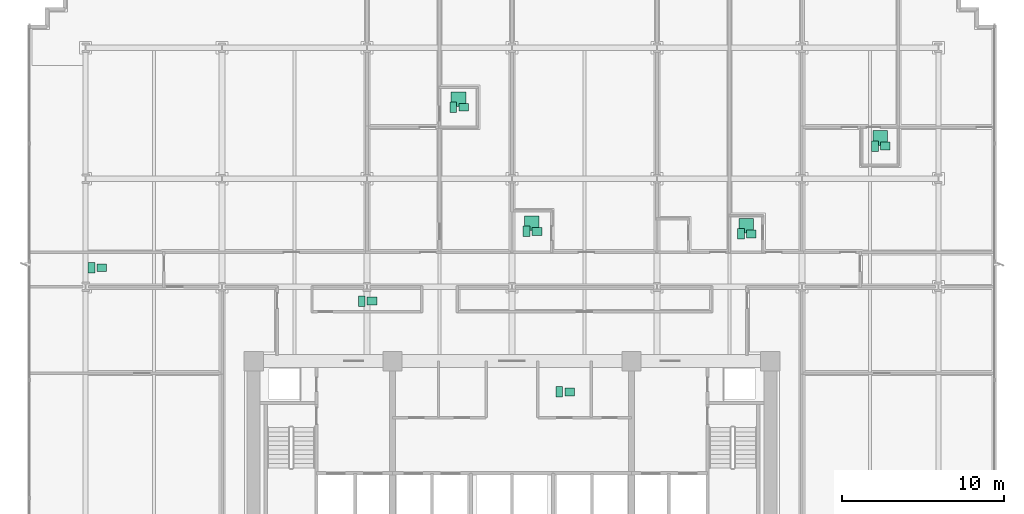
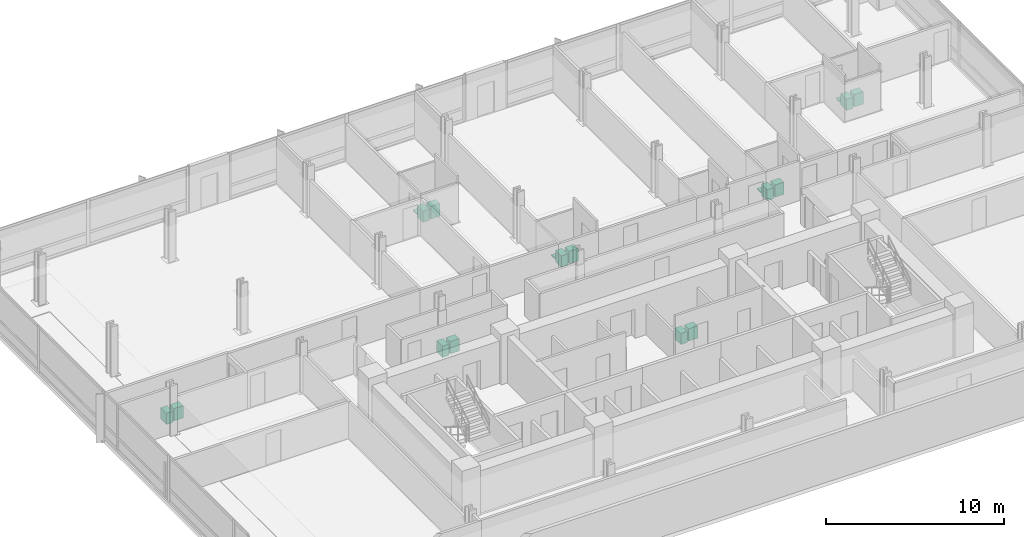
# One storey, part 17 of 17: 18 sanitary terminals.
"""IFC4 building model written with IfcOpenShell, lengths in metres."""

from ifc_helpers import new_model, si_unit, direction, frame, origin, origin_2d, place, context, subcontext, project, spatial, rectangle, extrude, material, type_object, element, save


model = new_model("IFC4")

# Units and contexts
model_context = context("Model", 3, precision=1e-05, world=origin(), true_north=direction((0.0, 1.0)))
body_context = subcontext(model_context, "Body", "Model", "MODEL_VIEW")
ifc_project = project(units=[si_unit("LENGTHUNIT", "METRE"), si_unit("AREAUNIT", "SQUARE_METRE"), si_unit("VOLUMEUNIT", "CUBIC_METRE"), si_unit("PLANEANGLEUNIT", "RADIAN"), si_unit("MASSUNIT", "GRAM", prefix="KILO")], contexts=[model_context])

# Site, building, storey
site_placement = place(None, origin())
site = spatial("IfcSite", under=ifc_project, at=site_placement, CompositionType="ELEMENT")
building_placement = place(site_placement, origin())
building = spatial("IfcBuilding", under=site, at=building_placement, Name="Solmavex Isthmus Hotel", CompositionType="ELEMENT")
storey_placement = place(building_placement, frame((0.0, 0.0, 40.199951171875)))
storey = spatial("IfcBuildingStorey", under=building, at=storey_placement, Name="L10", CompositionType="ELEMENT", Elevation=40.199951171875)

# Sanitary terminals
ifc_material = material(Name="Vitreous china ceramic", Category="ceramic")
sanitary_terminal_type_1 = type_object("IfcSanitaryTerminalType", Name="SAN-BASIN", PredefinedType="WASHHANDBASIN", material=ifc_material)
for number, where, z_axis, x_axis, name in (
    (1, (3.570068359375, -4.409912109375, 0.0), (0.0, 0.0, 1.0), (1.0, 0.0, 0.0), "Vanity Washbasin L10-42"),
    (2, (-2.992919921875, 13.212890625, 0.0), (0.0, 0.0, 1.0), (1.0, 0.0, 0.0), "Vanity Washbasin L10-43"),
    (3, (1.544921875, 5.52490234375, 0.0), (0.0, 0.0, 1.0), (1.0, 0.0, 0.0), "Vanity Washbasin L10-44"),
    (4, (14.816162109375, 5.375, 0.0), (0.0, 0.0, 1.0), (1.0, 0.0, 0.0), "Vanity Washbasin L10-45"),
    (5, (23.111083984375, 10.81298828125, 0.0), (0.0, 0.0, 1.0), (1.0, 0.0, 0.0), "Vanity Washbasin L10-46"),
    (6, (-8.666015625, 1.21240234375, 0.0), (0.0, 0.0, 1.0), (1.0, 0.0, 0.0), "Vanity Washbasin L10-47"),
    (7, (-25.39599609375, 3.277587890625, 0.0), (0.0, 0.0, 1.0), (1.0, 0.0, 0.0), "Vanity Washbasin L10-48"),
):
    element("IfcSanitaryTerminal", number, at=place(storey_placement, frame(where, z_axis=z_axis, x_axis=x_axis)), inside=storey, type_object=sanitary_terminal_type_1, Name=name, PredefinedType="WASHHANDBASIN", context=body_context, shape_type="SweptSolid", body=[
        extrude(rectangle(XDim=0.60009765625, YDim=0.47998046875, at=origin_2d()), origin(), (0.0, 0.0, 1.0), 0.85009765625),
    ])
sanitary_terminal_type_2 = type_object("IfcSanitaryTerminalType", Name="SAN-SHOWER", PredefinedType="SHOWER", material=ifc_material)
for number, where, z_axis, x_axis, name in (
    (8, (-3.31298828125, 13.712890625, 0.0), (0.0, 0.0, 1.0), (1.0, 0.0, 0.0), "Walk-In Shower L10-43"),
    (9, (1.22509765625, 6.02490234375, 0.0), (0.0, 0.0, 1.0), (1.0, 0.0, 0.0), "Walk-In Shower L10-44"),
    (10, (14.49609375, 5.875, 0.0), (0.0, 0.0, 1.0), (1.0, 0.0, 0.0), "Walk-In Shower L10-45"),
    (11, (22.791015625, 11.31298828125, 0.0), (0.0, 0.0, 1.0), (1.0, 0.0, 0.0), "Walk-In Shower L10-46"),
):
    element("IfcSanitaryTerminal", number, at=place(storey_placement, frame(where, z_axis=z_axis, x_axis=x_axis)), inside=storey, type_object=sanitary_terminal_type_2, Name=name, PredefinedType="SHOWER", context=body_context, shape_type="SweptSolid", body=[
        extrude(rectangle(XDim=0.89990234375, YDim=0.89990234375, at=origin_2d()), origin(), (0.0, 0.0, 1.0), 0.080078125),
    ])
sanitary_terminal_type_3 = type_object("IfcSanitaryTerminalType", Name="SAN-WC-SUITE", PredefinedType="TOILETPAN", material=ifc_material)
for number, where, z_axis, x_axis, name in (
    (12, (2.929931640625, -4.409912109375, 0.0), (0.0, 0.0, 1.0), (1.0, 0.0, 0.0), "Water Closet L10-42"),
    (13, (-3.633056640625, 13.212890625, 0.0), (0.0, 0.0, 1.0), (1.0, 0.0, 0.0), "Water Closet L10-43"),
    (14, (0.905029296875, 5.52490234375, 0.0), (0.0, 0.0, 1.0), (1.0, 0.0, 0.0), "Water Closet L10-44"),
    (15, (14.17626953125, 5.375, 0.0), (0.0, 0.0, 1.0), (1.0, 0.0, 0.0), "Water Closet L10-45"),
    (16, (22.470947265625, 10.81298828125, 0.0), (0.0, 0.0, 1.0), (1.0, 0.0, 0.0), "Water Closet L10-46"),
    (17, (-9.305908203125, 1.21240234375, 0.0), (0.0, 0.0, 1.0), (1.0, 0.0, 0.0), "Water Closet L10-47"),
    (18, (-26.035888671875, 3.277587890625, 0.0), (0.0, 0.0, 1.0), (1.0, 0.0, 0.0), "Water Closet L10-48"),
):
    element("IfcSanitaryTerminal", number, at=place(storey_placement, frame(where, z_axis=z_axis, x_axis=x_axis)), inside=storey, type_object=sanitary_terminal_type_3, Name=name, PredefinedType="TOILETPAN", context=body_context, shape_type="SweptSolid", body=[
        extrude(rectangle(XDim=0.419921875, YDim=0.64990234375, at=origin_2d()), origin(), (0.0, 0.0, 1.0), 0.780029296875),
    ])

save(model, "model.ifc")
